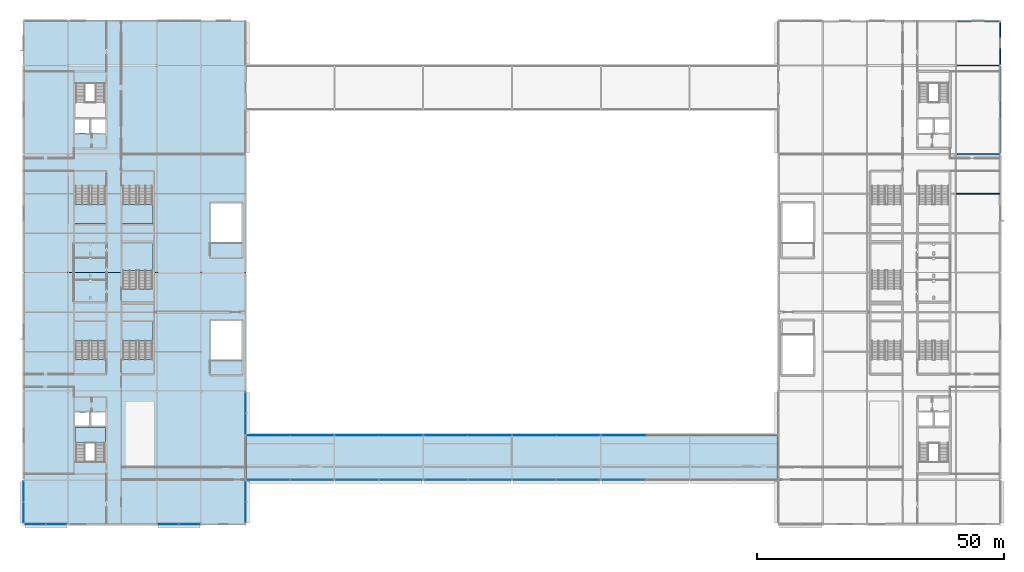
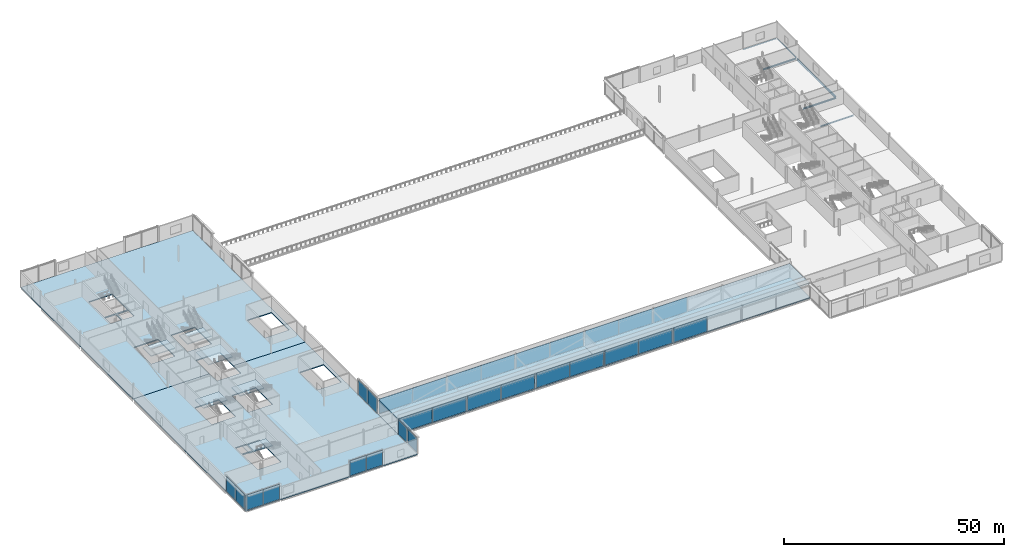
# One storey, part 34 of 73: 28 plates, 11 slabs, 6 beams, 21 elements without a shape of their own.
"""IFC4 building model written with IfcOpenShell, lengths in metres."""

from ifc_helpers import new_model, si_unit, direction, frame, origin, origin_2d, place, context, subcontext, project, spatial, polyline, rectangle, hollow_rectangle, i_section, outline, extrude, material, layer, layer_set, material_profile, profile_set, type_object, element, aggregate, save


model = new_model("IFC4")

# Units and contexts
model_context = context("Model", 3, precision=1e-05, world=origin(), true_north=direction((0.0, 1.0)))
body_context = subcontext(model_context, "Body", "Model", "MODEL_VIEW")
ifc_project = project(units=[si_unit("LENGTHUNIT", "METRE"), si_unit("AREAUNIT", "SQUARE_METRE"), si_unit("VOLUMEUNIT", "CUBIC_METRE"), si_unit("PLANEANGLEUNIT", "RADIAN"), si_unit("MASSUNIT", "GRAM", prefix="KILO")], contexts=[model_context])

# Site, building, storey
site_placement = place(None, origin())
site = spatial("IfcSite", under=ifc_project, at=site_placement, CompositionType="ELEMENT")
building_placement = place(site_placement, origin())
building = spatial("IfcBuilding", under=site, at=building_placement, Name="Kisiwana Market Hall", CompositionType="ELEMENT")
storey_placement = place(building_placement, frame((0.0, 0.0, 33.300048828125)))
storey = spatial("IfcBuildingStorey", under=building, at=storey_placement, Name="L07", CompositionType="ELEMENT", Elevation=33.300048828125)

# Beams
ifc_material_1 = material(Name="Steel S355", Category="steel")
ifc_material_profile_1 = material_profile(ifc_material_1, i_section(OverallWidth=0.300048828125, OverallDepth=0.360107421875, WebThickness=0.012451171875, FlangeThickness=0.0224609375, at=origin_2d()), Name="HEB 360")
ifc_profile_set_1 = profile_set([ifc_material_profile_1], Name="Steel S355")
beam_type_1 = type_object("IfcBeamType", Name="BM-GIRD-HEB360", PredefinedType="BEAM", material=ifc_profile_set_1)
for number, where, z_axis, x_axis, name in (
    (1, (189.183349609375, 84.0, -0.4599609375), (1.0, 0.0, 0.0), (0.0, 1.0, 0.0), "Floor beam B-2000"),
    (2, (189.183349609375, 102.0, -0.4599609375), (1.0, 0.0, 0.0), (0.0, 1.0, 0.0), "Floor beam B-2020"),
):
    element("IfcBeam", number, at=place(storey_placement, frame(where, z_axis=z_axis, x_axis=x_axis)), inside=storey, type_object=beam_type_1, Name=name, PredefinedType="BEAM", context=body_context, shape_type="SweptSolid", body=[
        extrude(i_section(OverallWidth=0.300048828125, OverallDepth=0.360107421875, WebThickness=0.012451171875, FlangeThickness=0.0224609375, at=origin_2d()), origin(), (0.0, 0.0, 1.0), 8.635498046875),
    ])
ifc_material_2 = material(Name="Steel S355", Category="steel")
ifc_material_profile_2 = material_profile(ifc_material_2, i_section(OverallWidth=0.22900390625, OverallDepth=0.6123046875, WebThickness=0.011962890625, FlangeThickness=0.01953125, at=origin_2d()), Name="UB 610x229x125")
ifc_profile_set_2 = profile_set([ifc_material_profile_2], Name="Steel S355")
beam_type_2 = type_object("IfcBeamType", Name="BM-GIRD-UB610H", PredefinedType="BEAM", material=ifc_profile_set_2)
beam_1_placement = place(storey_placement, frame((198.0, 84.177001953125, -0.586181640625), z_axis=(0.0, 1.0, 0.0), x_axis=(-1.0, 0.0, 0.0)))
element("IfcBeam", 3, at=beam_1_placement, inside=storey, type_object=beam_type_2, Name="Floor beam B-2055", PredefinedType="BEAM", context=body_context, shape_type="SweptSolid", body=[
    extrude(i_section(OverallWidth=0.22900390625, OverallDepth=0.6123046875, WebThickness=0.011962890625, FlangeThickness=0.01953125, at=origin_2d()), origin(), (0.0, 0.0, 1.0), 17.64599609375),
])
ifc_material_3 = material(Name="Steel S355", Category="steel")
ifc_material_profile_3 = material_profile(ifc_material_3, i_section(OverallWidth=0.17138671875, OverallDepth=0.35498046875, WebThickness=0.00732421875, FlangeThickness=0.011474609375, at=origin_2d()), Name="UB 356x171x51")
ifc_profile_set_3 = profile_set([ifc_material_profile_3], Name="Steel S355")
beam_type_3 = type_object("IfcBeamType", Name="BM-JOIST-UB356", PredefinedType="JOIST", material=ifc_profile_set_3)
beam_2_placement = place(storey_placement, frame((189.113525390625, 76.0, -0.45751953125), z_axis=(1.0, 0.0, 0.0), x_axis=(0.0, 1.0, 0.0)))
element("IfcBeam", 4, at=beam_2_placement, inside=storey, type_object=beam_type_3, Name="Secondary floor joist B-1954", PredefinedType="JOIST", context=body_context, shape_type="SweptSolid", body=[
    extrude(i_section(OverallWidth=0.17138671875, OverallDepth=0.35498046875, WebThickness=0.00732421875, FlangeThickness=0.011474609375, at=origin_2d()), origin(), (0.0, 0.0, 1.0), 8.77294921875),
])
ifc_material_4 = material(Name="Steel S355", Category="steel")
ifc_material_profile_4 = material_profile(ifc_material_4, hollow_rectangle(XDim=0.14990234375, YDim=0.25, WallThickness=0.010009765625, at=origin_2d()), Name="RHS 250x150x10.0")
ifc_profile_set_4 = profile_set([ifc_material_profile_4], Name="Steel S355")
beam_type_4 = type_object("IfcBeamType", Name="BM-SPAN-RHS250", PredefinedType="SPANDREL", material=ifc_profile_set_4)
beam_3_placement = place(storey_placement, frame((189.183349609375, 111.0, -0.405029296875), z_axis=(1.0, 0.0, 0.0), x_axis=(0.0, 1.0, 0.0)))
element("IfcBeam", 5, at=beam_3_placement, inside=storey, type_object=beam_type_4, Name="Floor beam B-2028", PredefinedType="SPANDREL", context=body_context, shape_type="SweptSolid", body=[
    extrude(hollow_rectangle(XDim=0.14990234375, YDim=0.25, WallThickness=0.010009765625, at=origin_2d()), origin(), (0.0, 0.0, 1.0), 8.635498046875),
])
beam_4_placement = place(storey_placement, frame((198.0, 102.177001953125, -0.405029296875), z_axis=(0.0, 1.0, 0.0), x_axis=(-1.0, 0.0, 0.0)))
element("IfcBeam", 6, at=beam_4_placement, inside=storey, type_object=beam_type_4, Name="Floor beam B-2056", PredefinedType="SPANDREL", context=body_context, shape_type="SweptSolid", body=[
    extrude(hollow_rectangle(XDim=0.14990234375, YDim=0.25, WallThickness=0.010009765625, at=origin_2d()), origin(), (0.0, 0.0, 1.0), 8.64599609375),
])

# Curtain wall, plates
ifc_material_5 = material(Name="Double-glazed solar-control low-E IGU", Category="glass")
ifc_layer_1 = layer(ifc_material_5, 0.159912109375)
ifc_layer_set_1 = layer_set([ifc_layer_1], Name="CW-BRG-L07-8200")
curtain_wall_type = type_object("IfcCurtainWallType", Name="CW-BRG-L07-8200", PredefinedType="USERDEFINED", material=ifc_layer_set_1)
curtain_wall_1_placement = place(storey_placement, origin())
curtain_wall_1 = element("IfcCurtainWall", 7, at=curtain_wall_1_placement, inside=storey, type_object=curtain_wall_type, Name="Unitised curtain wall CW-209 (L07)", ObjectType="UNITISED CURTAIN WALL", PredefinedType="USERDEFINED")
ifc_material_6 = material(Name="Double-glazed solar-control low-E IGU", Category="glass")
ifc_layer_2 = layer(ifc_material_6, 0.02392578125)
ifc_layer_set_2 = layer_set([ifc_layer_2], Name="PL-IGU-24")
plate_type_1 = type_object("IfcPlateType", Name="PL-IGU-24", PredefinedType="CURTAIN_PANEL", material=ifc_layer_set_2)
plate_1_placement = place(storey_placement, frame((2.342529296875, 9.0, 0.06005859375), z_axis=(0.0, 0.0, 1.0), x_axis=(1.0, 0.0, 0.0)))
plate_1 = element("IfcPlate", 8, at=plate_1_placement, type_object=plate_type_1, Name="CW-209 panel 1.1", PredefinedType="CURTAIN_PANEL", context=body_context, shape_type="SweptSolid", body=[
    extrude(rectangle(XDim=4.2451171875, YDim=0.02392578125, at=origin_2d()), origin(), (0.0, 0.0, 1.0), 4.135009765625),
])
plate_2_placement = place(storey_placement, frame((6.657470703125, 9.0, 0.06005859375), z_axis=(0.0, 0.0, 1.0), x_axis=(1.0, 0.0, 0.0)))
plate_2 = element("IfcPlate", 9, at=plate_2_placement, type_object=plate_type_1, Name="CW-209 panel 2.1", PredefinedType="CURTAIN_PANEL", context=body_context, shape_type="SweptSolid", body=[
    extrude(rectangle(XDim=4.2451171875, YDim=0.02392578125, at=origin_2d()), origin(), (0.0, 0.0, 1.0), 4.135009765625),
])
aggregate(curtain_wall_1, [plate_1, plate_2])

curtain_wall_2_placement = place(storey_placement, origin())
curtain_wall_2 = element("IfcCurtainWall", 10, at=curtain_wall_2_placement, inside=storey, type_object=curtain_wall_type, Name="Unitised curtain wall CW-213 (L07)", ObjectType="UNITISED CURTAIN WALL", PredefinedType="USERDEFINED")
plate_3_placement = place(storey_placement, frame((67.580078125, 18.0, 0.06005859375), z_axis=(0.0, 0.0, 1.0), x_axis=(1.0, 0.0, 0.0)))
plate_3 = element("IfcPlate", 11, at=plate_3_placement, type_object=plate_type_1, Name="CW-213 panel 1.1", PredefinedType="CURTAIN_PANEL", context=body_context, shape_type="SweptSolid", body=[
    extrude(rectangle(XDim=8.77001953125, YDim=0.02392578125, at=origin_2d()), origin(), (0.0, 0.0, 1.0), 4.135009765625),
])
plate_4_placement = place(storey_placement, frame((76.419921875, 18.0, 0.06005859375), z_axis=(0.0, 0.0, 1.0), x_axis=(1.0, 0.0, 0.0)))
plate_4 = element("IfcPlate", 12, at=plate_4_placement, type_object=plate_type_1, Name="CW-213 panel 2.1", PredefinedType="CURTAIN_PANEL", context=body_context, shape_type="SweptSolid", body=[
    extrude(rectangle(XDim=8.77001953125, YDim=0.02392578125, at=origin_2d()), origin(), (0.0, 0.0, 1.0), 4.135009765625),
])
aggregate(curtain_wall_2, [plate_3, plate_4])

curtain_wall_3_placement = place(storey_placement, origin())
curtain_wall_3 = element("IfcCurtainWall", 13, at=curtain_wall_3_placement, inside=storey, type_object=curtain_wall_type, Name="Unitised curtain wall CW-215 (L07)", ObjectType="UNITISED CURTAIN WALL", PredefinedType="USERDEFINED")
plate_5_placement = place(storey_placement, frame((103.580078125, 18.0, 0.06005859375), z_axis=(0.0, 0.0, 1.0), x_axis=(1.0, 0.0, 0.0)))
plate_5 = element("IfcPlate", 14, at=plate_5_placement, type_object=plate_type_1, Name="CW-215 panel 1.1", PredefinedType="CURTAIN_PANEL", context=body_context, shape_type="SweptSolid", body=[
    extrude(rectangle(XDim=8.77001953125, YDim=0.02392578125, at=origin_2d()), origin(), (0.0, 0.0, 1.0), 4.135009765625),
])
plate_6_placement = place(storey_placement, frame((112.419921875, 18.0, 0.06005859375), z_axis=(0.0, 0.0, 1.0), x_axis=(1.0, 0.0, 0.0)))
plate_6 = element("IfcPlate", 15, at=plate_6_placement, type_object=plate_type_1, Name="CW-215 panel 2.1", PredefinedType="CURTAIN_PANEL", context=body_context, shape_type="SweptSolid", body=[
    extrude(rectangle(XDim=8.77001953125, YDim=0.02392578125, at=origin_2d()), origin(), (0.0, 0.0, 1.0), 4.135009765625),
])
aggregate(curtain_wall_3, [plate_5, plate_6])

curtain_wall_4_placement = place(storey_placement, origin())
curtain_wall_4 = element("IfcCurtainWall", 16, at=curtain_wall_4_placement, inside=storey, type_object=curtain_wall_type, Name="Unitised curtain wall CW-219 (L07)", ObjectType="UNITISED CURTAIN WALL", PredefinedType="USERDEFINED")
plate_7_placement = place(storey_placement, frame((67.580078125, 27.0, 0.06005859375), z_axis=(0.0, 0.0, 1.0), x_axis=(1.0, 0.0, 0.0)))
plate_7 = element("IfcPlate", 17, at=plate_7_placement, type_object=plate_type_1, Name="CW-219 panel 1.1", PredefinedType="CURTAIN_PANEL", context=body_context, shape_type="SweptSolid", body=[
    extrude(rectangle(XDim=8.77001953125, YDim=0.02392578125, at=origin_2d()), origin(), (0.0, 0.0, 1.0), 4.135009765625),
])
plate_8_placement = place(storey_placement, frame((76.419921875, 27.0, 0.06005859375), z_axis=(0.0, 0.0, 1.0), x_axis=(1.0, 0.0, 0.0)))
plate_8 = element("IfcPlate", 18, at=plate_8_placement, type_object=plate_type_1, Name="CW-219 panel 2.1", PredefinedType="CURTAIN_PANEL", context=body_context, shape_type="SweptSolid", body=[
    extrude(rectangle(XDim=8.77001953125, YDim=0.02392578125, at=origin_2d()), origin(), (0.0, 0.0, 1.0), 4.135009765625),
])
aggregate(curtain_wall_4, [plate_7, plate_8])

curtain_wall_5_placement = place(storey_placement, origin())
curtain_wall_5 = element("IfcCurtainWall", 19, at=curtain_wall_5_placement, inside=storey, type_object=curtain_wall_type, Name="Unitised curtain wall CW-221 (L07)", ObjectType="UNITISED CURTAIN WALL", PredefinedType="USERDEFINED")
plate_9_placement = place(storey_placement, frame((103.580078125, 27.0, 0.06005859375), z_axis=(0.0, 0.0, 1.0), x_axis=(1.0, 0.0, 0.0)))
plate_9 = element("IfcPlate", 20, at=plate_9_placement, type_object=plate_type_1, Name="CW-221 panel 1.1", PredefinedType="CURTAIN_PANEL", context=body_context, shape_type="SweptSolid", body=[
    extrude(rectangle(XDim=8.77001953125, YDim=0.02392578125, at=origin_2d()), origin(), (0.0, 0.0, 1.0), 4.135009765625),
])
plate_10_placement = place(storey_placement, frame((112.419921875, 27.0, 0.06005859375), z_axis=(0.0, 0.0, 1.0), x_axis=(1.0, 0.0, 0.0)))
plate_10 = element("IfcPlate", 21, at=plate_10_placement, type_object=plate_type_1, Name="CW-221 panel 2.1", PredefinedType="CURTAIN_PANEL", context=body_context, shape_type="SweptSolid", body=[
    extrude(rectangle(XDim=8.77001953125, YDim=0.02392578125, at=origin_2d()), origin(), (0.0, 0.0, 1.0), 4.135009765625),
])
aggregate(curtain_wall_5, [plate_9, plate_10])

curtain_wall_6_placement = place(storey_placement, origin())
curtain_wall_6 = element("IfcCurtainWall", 22, at=curtain_wall_6_placement, inside=storey, type_object=curtain_wall_type, Name="Unitised curtain wall CW-227 (L07)", ObjectType="UNITISED CURTAIN WALL", PredefinedType="USERDEFINED")
plate_11_placement = place(storey_placement, frame((0.0, 11.367431640625, 0.06005859375), z_axis=(0.0, 0.0, 1.0), x_axis=(0.0, 1.0, 0.0)))
plate_11 = element("IfcPlate", 23, at=plate_11_placement, type_object=plate_type_1, Name="CW-227 panel 1.1", PredefinedType="CURTAIN_PANEL", context=body_context, shape_type="SweptSolid", body=[
    extrude(rectangle(XDim=4.195068359375, YDim=0.02392578125, at=origin_2d()), origin(), (0.0, 0.0, 1.0), 4.135009765625),
])
plate_12_placement = place(storey_placement, frame((0.0, 15.632568359375, 0.06005859375), z_axis=(0.0, 0.0, 1.0), x_axis=(0.0, 1.0, 0.0)))
plate_12 = element("IfcPlate", 24, at=plate_12_placement, type_object=plate_type_1, Name="CW-227 panel 2.1", PredefinedType="CURTAIN_PANEL", context=body_context, shape_type="SweptSolid", body=[
    extrude(rectangle(XDim=4.195068359375, YDim=0.02392578125, at=origin_2d()), origin(), (0.0, 0.0, 1.0), 4.135009765625),
])
aggregate(curtain_wall_6, [plate_11, plate_12])

curtain_wall_7_placement = place(storey_placement, origin())
curtain_wall_7 = element("IfcCurtainWall", 25, at=curtain_wall_7_placement, inside=storey, type_object=curtain_wall_type, Name="Unitised curtain wall CW-229 (L07)", ObjectType="UNITISED CURTAIN WALL", PredefinedType="USERDEFINED")
plate_13_placement = place(storey_placement, frame((45.0, 29.367431640625, 0.06005859375), z_axis=(0.0, 0.0, 1.0), x_axis=(0.0, 1.0, 0.0)))
plate_13 = element("IfcPlate", 26, at=plate_13_placement, type_object=plate_type_1, Name="CW-229 panel 1.1", PredefinedType="CURTAIN_PANEL", context=body_context, shape_type="SweptSolid", body=[
    extrude(rectangle(XDim=4.195068359375, YDim=0.02392578125, at=origin_2d()), origin(), (0.0, 0.0, 1.0), 4.135009765625),
])
plate_14_placement = place(storey_placement, frame((45.0, 33.632568359375, 0.06005859375), z_axis=(0.0, 0.0, 1.0), x_axis=(0.0, 1.0, 0.0)))
plate_14 = element("IfcPlate", 27, at=plate_14_placement, type_object=plate_type_1, Name="CW-229 panel 2.1", PredefinedType="CURTAIN_PANEL", context=body_context, shape_type="SweptSolid", body=[
    extrude(rectangle(XDim=4.195068359375, YDim=0.02392578125, at=origin_2d()), origin(), (0.0, 0.0, 1.0), 4.135009765625),
])
aggregate(curtain_wall_7, [plate_13, plate_14])

curtain_wall_8_placement = place(storey_placement, origin())
curtain_wall_8 = element("IfcCurtainWall", 28, at=curtain_wall_8_placement, inside=storey, type_object=curtain_wall_type, Name="Unitised curtain wall CW-210 (L07)", ObjectType="UNITISED CURTAIN WALL", PredefinedType="USERDEFINED")
ifc_material_7 = material(Name="Double-glazed acoustic laminated IGU", Category="glass")
ifc_layer_3 = layer(ifc_material_7, 0.028076171875)
ifc_layer_set_3 = layer_set([ifc_layer_3], Name="PL-IGU-28")
plate_type_2 = type_object("IfcPlateType", Name="PL-IGU-28", PredefinedType="CURTAIN_PANEL", material=ifc_layer_set_3)
plate_15_placement = place(storey_placement, frame((29.342529296875, 9.0, 0.06005859375), z_axis=(0.0, 0.0, 1.0), x_axis=(1.0, 0.0, 0.0)))
plate_15 = element("IfcPlate", 29, at=plate_15_placement, type_object=plate_type_2, Name="CW-210 panel 1.1", PredefinedType="CURTAIN_PANEL", context=body_context, shape_type="SweptSolid", body=[
    extrude(rectangle(XDim=4.2451171875, YDim=0.028076171875, at=origin_2d()), origin(), (0.0, 0.0, 1.0), 4.135009765625),
])
plate_16_placement = place(storey_placement, frame((33.657470703125, 9.0, 0.06005859375), z_axis=(0.0, 0.0, 1.0), x_axis=(1.0, 0.0, 0.0)))
plate_16 = element("IfcPlate", 30, at=plate_16_placement, type_object=plate_type_2, Name="CW-210 panel 2.1", PredefinedType="CURTAIN_PANEL", context=body_context, shape_type="SweptSolid", body=[
    extrude(rectangle(XDim=4.2451171875, YDim=0.028076171875, at=origin_2d()), origin(), (0.0, 0.0, 1.0), 4.135009765625),
])
aggregate(curtain_wall_8, [plate_15, plate_16])

curtain_wall_9_placement = place(storey_placement, origin())
curtain_wall_9 = element("IfcCurtainWall", 31, at=curtain_wall_9_placement, inside=storey, type_object=curtain_wall_type, Name="Unitised curtain wall CW-212 (L07)", ObjectType="UNITISED CURTAIN WALL", PredefinedType="USERDEFINED")
plate_17_placement = place(storey_placement, frame((49.5986328125, 18.0, 0.06005859375), z_axis=(0.0, 0.0, 1.0), x_axis=(1.0, 0.0, 0.0)))
plate_17 = element("IfcPlate", 32, at=plate_17_placement, type_object=plate_type_2, Name="CW-212 panel 1.1", PredefinedType="CURTAIN_PANEL", context=body_context, shape_type="SweptSolid", body=[
    extrude(rectangle(XDim=8.757568359375, YDim=0.028076171875, at=origin_2d()), origin(), (0.0, 0.0, 1.0), 4.135009765625),
])
plate_18_placement = place(storey_placement, frame((58.42626953125, 18.0, 0.06005859375), z_axis=(0.0, 0.0, 1.0), x_axis=(1.0, 0.0, 0.0)))
plate_18 = element("IfcPlate", 33, at=plate_18_placement, type_object=plate_type_2, Name="CW-212 panel 2.1", PredefinedType="CURTAIN_PANEL", context=body_context, shape_type="SweptSolid", body=[
    extrude(rectangle(XDim=8.757568359375, YDim=0.028076171875, at=origin_2d()), origin(), (0.0, 0.0, 1.0), 4.135009765625),
])
aggregate(curtain_wall_9, [plate_17, plate_18])

curtain_wall_10_placement = place(storey_placement, origin())
curtain_wall_10 = element("IfcCurtainWall", 34, at=curtain_wall_10_placement, inside=storey, type_object=curtain_wall_type, Name="Unitised curtain wall CW-214 (L07)", ObjectType="UNITISED CURTAIN WALL", PredefinedType="USERDEFINED")
plate_19_placement = place(storey_placement, frame((85.580078125, 18.0, 0.06005859375), z_axis=(0.0, 0.0, 1.0), x_axis=(1.0, 0.0, 0.0)))
plate_19 = element("IfcPlate", 35, at=plate_19_placement, type_object=plate_type_2, Name="CW-214 panel 1.1", PredefinedType="CURTAIN_PANEL", context=body_context, shape_type="SweptSolid", body=[
    extrude(rectangle(XDim=8.77001953125, YDim=0.028076171875, at=origin_2d()), origin(), (0.0, 0.0, 1.0), 4.135009765625),
])
plate_20_placement = place(storey_placement, frame((94.419921875, 18.0, 0.06005859375), z_axis=(0.0, 0.0, 1.0), x_axis=(1.0, 0.0, 0.0)))
plate_20 = element("IfcPlate", 36, at=plate_20_placement, type_object=plate_type_2, Name="CW-214 panel 2.1", PredefinedType="CURTAIN_PANEL", context=body_context, shape_type="SweptSolid", body=[
    extrude(rectangle(XDim=8.77001953125, YDim=0.028076171875, at=origin_2d()), origin(), (0.0, 0.0, 1.0), 4.135009765625),
])
aggregate(curtain_wall_10, [plate_19, plate_20])

# Curtain wall, plate
curtain_wall_11_placement = place(storey_placement, origin())
curtain_wall_11 = element("IfcCurtainWall", 37, at=curtain_wall_11_placement, inside=storey, type_object=curtain_wall_type, Name="Unitised curtain wall CW-216 (L07)", ObjectType="UNITISED CURTAIN WALL", PredefinedType="USERDEFINED")
plate_21_placement = place(storey_placement, frame((121.580078125, 18.0, 0.06005859375), z_axis=(0.0, 0.0, 1.0), x_axis=(1.0, 0.0, 0.0)))
plate_21 = element("IfcPlate", 38, at=plate_21_placement, type_object=plate_type_2, Name="CW-216 panel 1.1", PredefinedType="CURTAIN_PANEL", context=body_context, shape_type="SweptSolid", body=[
    extrude(rectangle(XDim=8.77001953125, YDim=0.028076171875, at=origin_2d()), origin(), (0.0, 0.0, 1.0), 4.135009765625),
])
aggregate(curtain_wall_11, [plate_21])

# Curtain wall, plates
curtain_wall_12_placement = place(storey_placement, origin())
curtain_wall_12 = element("IfcCurtainWall", 39, at=curtain_wall_12_placement, inside=storey, type_object=curtain_wall_type, Name="Unitised curtain wall CW-218 (L07)", ObjectType="UNITISED CURTAIN WALL", PredefinedType="USERDEFINED")
plate_22_placement = place(storey_placement, frame((49.5986328125, 27.0, 0.06005859375), z_axis=(0.0, 0.0, 1.0), x_axis=(1.0, 0.0, 0.0)))
plate_22 = element("IfcPlate", 40, at=plate_22_placement, type_object=plate_type_2, Name="CW-218 panel 1.1", PredefinedType="CURTAIN_PANEL", context=body_context, shape_type="SweptSolid", body=[
    extrude(rectangle(XDim=8.757568359375, YDim=0.028076171875, at=origin_2d()), origin(), (0.0, 0.0, 1.0), 4.135009765625),
])
plate_23_placement = place(storey_placement, frame((58.42626953125, 27.0, 0.06005859375), z_axis=(0.0, 0.0, 1.0), x_axis=(1.0, 0.0, 0.0)))
plate_23 = element("IfcPlate", 41, at=plate_23_placement, type_object=plate_type_2, Name="CW-218 panel 2.1", PredefinedType="CURTAIN_PANEL", context=body_context, shape_type="SweptSolid", body=[
    extrude(rectangle(XDim=8.757568359375, YDim=0.028076171875, at=origin_2d()), origin(), (0.0, 0.0, 1.0), 4.135009765625),
])
aggregate(curtain_wall_12, [plate_22, plate_23])

curtain_wall_13_placement = place(storey_placement, origin())
curtain_wall_13 = element("IfcCurtainWall", 42, at=curtain_wall_13_placement, inside=storey, type_object=curtain_wall_type, Name="Unitised curtain wall CW-220 (L07)", ObjectType="UNITISED CURTAIN WALL", PredefinedType="USERDEFINED")
plate_24_placement = place(storey_placement, frame((85.580078125, 27.0, 0.06005859375), z_axis=(0.0, 0.0, 1.0), x_axis=(1.0, 0.0, 0.0)))
plate_24 = element("IfcPlate", 43, at=plate_24_placement, type_object=plate_type_2, Name="CW-220 panel 1.1", PredefinedType="CURTAIN_PANEL", context=body_context, shape_type="SweptSolid", body=[
    extrude(rectangle(XDim=8.77001953125, YDim=0.028076171875, at=origin_2d()), origin(), (0.0, 0.0, 1.0), 4.135009765625),
])
plate_25_placement = place(storey_placement, frame((94.419921875, 27.0, 0.06005859375), z_axis=(0.0, 0.0, 1.0), x_axis=(1.0, 0.0, 0.0)))
plate_25 = element("IfcPlate", 44, at=plate_25_placement, type_object=plate_type_2, Name="CW-220 panel 2.1", PredefinedType="CURTAIN_PANEL", context=body_context, shape_type="SweptSolid", body=[
    extrude(rectangle(XDim=8.77001953125, YDim=0.028076171875, at=origin_2d()), origin(), (0.0, 0.0, 1.0), 4.135009765625),
])
aggregate(curtain_wall_13, [plate_24, plate_25])

# Curtain wall, plate
curtain_wall_14_placement = place(storey_placement, origin())
curtain_wall_14 = element("IfcCurtainWall", 45, at=curtain_wall_14_placement, inside=storey, type_object=curtain_wall_type, Name="Unitised curtain wall CW-222 (L07)", ObjectType="UNITISED CURTAIN WALL", PredefinedType="USERDEFINED")
plate_26_placement = place(storey_placement, frame((121.580078125, 27.0, 0.06005859375), z_axis=(0.0, 0.0, 1.0), x_axis=(1.0, 0.0, 0.0)))
plate_26 = element("IfcPlate", 46, at=plate_26_placement, type_object=plate_type_2, Name="CW-222 panel 1.1", PredefinedType="CURTAIN_PANEL", context=body_context, shape_type="SweptSolid", body=[
    extrude(rectangle(XDim=8.77001953125, YDim=0.028076171875, at=origin_2d()), origin(), (0.0, 0.0, 1.0), 4.135009765625),
])
aggregate(curtain_wall_14, [plate_26])

# Curtain wall, plates
curtain_wall_15_placement = place(storey_placement, origin())
curtain_wall_15 = element("IfcCurtainWall", 47, at=curtain_wall_15_placement, inside=storey, type_object=curtain_wall_type, Name="Unitised curtain wall CW-228 (L07)", ObjectType="UNITISED CURTAIN WALL", PredefinedType="USERDEFINED")
plate_27_placement = place(storey_placement, frame((45.0, 11.367431640625, 0.06005859375), z_axis=(0.0, 0.0, 1.0), x_axis=(0.0, 1.0, 0.0)))
plate_27 = element("IfcPlate", 48, at=plate_27_placement, type_object=plate_type_2, Name="CW-228 panel 1.1", PredefinedType="CURTAIN_PANEL", context=body_context, shape_type="SweptSolid", body=[
    extrude(rectangle(XDim=4.195068359375, YDim=0.028076171875, at=origin_2d()), origin(), (0.0, 0.0, 1.0), 4.135009765625),
])
plate_28_placement = place(storey_placement, frame((45.0, 15.632568359375, 0.06005859375), z_axis=(0.0, 0.0, 1.0), x_axis=(0.0, 1.0, 0.0)))
plate_28 = element("IfcPlate", 49, at=plate_28_placement, type_object=plate_type_2, Name="CW-228 panel 2.1", PredefinedType="CURTAIN_PANEL", context=body_context, shape_type="SweptSolid", body=[
    extrude(rectangle(XDim=4.195068359375, YDim=0.028076171875, at=origin_2d()), origin(), (0.0, 0.0, 1.0), 4.135009765625),
])
aggregate(curtain_wall_15, [plate_27, plate_28])

# Stair, slab
ifc_material_8 = material(Name="Concrete C32/40", Category="concrete")
stair_type_1 = type_object("IfcStairType", Name="ST-TWR-4500", PredefinedType="TWO_STRAIGHT_RUN_STAIR", material=ifc_material_8)
stair_1_placement = place(storey_placement, origin())
stair_1 = element("IfcStair", 50, at=stair_1_placement, inside=storey, type_object=stair_type_1, Name="Escape stair ST-W2-L07", PredefinedType="TWO_STRAIGHT_RUN_STAIR")
ifc_material_9 = material(Name="Concrete C32/40", Category="concrete")
ifc_layer_4 = layer(ifc_material_9, 0.239990234375)
ifc_layer_set_4 = layer_set([ifc_layer_4], Name="SL-LANDING-160")
slab_type_1 = type_object("IfcSlabType", Name="SL-LANDING-160", PredefinedType="LANDING", material=ifc_layer_set_4)
slab_1_placement = place(storey_placement, frame((0.0, 0.0, 2.010009765625)))
slab_1 = element("IfcSlab", 51, at=slab_1_placement, type_object=slab_type_1, Name="ST-W2-L07 landing 1 S-317", PredefinedType="LANDING", context=body_context, shape_type="SweptSolid", body=[
    extrude(outline(polyline([(10.405029296875, 25.509033203125), (16.594970703125, 25.509033203125), (16.594970703125, 28.64501953125), (10.405029296875, 28.64501953125), (10.405029296875, 25.509033203125)])), origin(), (0.0, 0.0, 1.0), 0.239990234375),
])
aggregate(stair_1, [slab_1])

ifc_material_10 = material(Name="Concrete C32/40", Category="concrete")
stair_type_2 = type_object("IfcStairType", Name="ST-ESC-4500", PredefinedType="TWO_STRAIGHT_RUN_STAIR", material=ifc_material_10)
stair_2_placement = place(storey_placement, origin())
stair_2 = element("IfcStair", 52, at=stair_2_placement, inside=storey, type_object=stair_type_2, Name="Escape stair ST-W3-L07", PredefinedType="TWO_STRAIGHT_RUN_STAIR")
slab_2_placement = place(storey_placement, frame((0.0, 0.0, 2.010009765625)))
slab_2 = element("IfcSlab", 53, at=slab_2_placement, type_object=slab_type_1, Name="ST-W3-L07 landing 1 S-318", PredefinedType="LANDING", context=body_context, shape_type="SweptSolid", body=[
    extrude(outline(polyline([(10.340087890625, 46.194580078125), (16.659912109375, 46.194580078125), (16.659912109375, 50.06005859375), (10.340087890625, 50.06005859375), (10.340087890625, 46.194580078125)])), origin(), (0.0, 0.0, 1.0), 0.239990234375),
])
aggregate(stair_2, [slab_2])

stair_3_placement = place(storey_placement, origin())
stair_3 = element("IfcStair", 54, at=stair_3_placement, inside=storey, type_object=stair_type_2, Name="Escape stair ST-W4-L07", PredefinedType="TWO_STRAIGHT_RUN_STAIR")
slab_3_placement = place(storey_placement, frame((0.0, 0.0, 2.010009765625)))
slab_3 = element("IfcSlab", 55, at=slab_3_placement, type_object=slab_type_1, Name="ST-W4-L07 landing 1 S-319", PredefinedType="LANDING", context=body_context, shape_type="SweptSolid", body=[
    extrude(outline(polyline([(10.340087890625, 69.93994140625), (16.659912109375, 69.93994140625), (16.659912109375, 73.805419921875), (10.340087890625, 73.805419921875), (10.340087890625, 69.93994140625)])), origin(), (0.0, 0.0, 1.0), 0.239990234375),
])
aggregate(stair_3, [slab_3])

stair_4_placement = place(storey_placement, origin())
stair_4 = element("IfcStair", 56, at=stair_4_placement, inside=storey, type_object=stair_type_2, Name="Escape stair ST-W7-L07", PredefinedType="TWO_STRAIGHT_RUN_STAIR")
slab_4_placement = place(storey_placement, frame((0.0, 0.0, 2.010009765625)))
slab_4 = element("IfcSlab", 57, at=slab_4_placement, type_object=slab_type_1, Name="ST-W7-L07 landing 1 S-321", PredefinedType="LANDING", context=body_context, shape_type="SweptSolid", body=[
    extrude(outline(polyline([(19.93994140625, 46.194580078125), (26.260009765625, 46.194580078125), (26.260009765625, 50.06005859375), (19.93994140625, 50.06005859375), (19.93994140625, 46.194580078125)])), origin(), (0.0, 0.0, 1.0), 0.239990234375),
])
aggregate(stair_4, [slab_4])

stair_5_placement = place(storey_placement, origin())
stair_5 = element("IfcStair", 58, at=stair_5_placement, inside=storey, type_object=stair_type_2, Name="Escape stair ST-W8-L07", PredefinedType="TWO_STRAIGHT_RUN_STAIR")
slab_5_placement = place(storey_placement, frame((0.0, 0.0, 2.010009765625)))
slab_5 = element("IfcSlab", 59, at=slab_5_placement, type_object=slab_type_1, Name="ST-W8-L07 landing 1 S-322", PredefinedType="LANDING", context=body_context, shape_type="SweptSolid", body=[
    extrude(outline(polyline([(19.93994140625, 69.93994140625), (26.260009765625, 69.93994140625), (26.260009765625, 73.805419921875), (19.93994140625, 73.805419921875), (19.93994140625, 69.93994140625)])), origin(), (0.0, 0.0, 1.0), 0.239990234375),
])
aggregate(stair_5, [slab_5])

stair_6_placement = place(storey_placement, origin())
stair_6 = element("IfcStair", 60, at=stair_6_placement, inside=storey, type_object=stair_type_2, Name="Escape stair ST-W5-L07", PredefinedType="TWO_STRAIGHT_RUN_STAIR")
slab_6_placement = place(storey_placement, frame((0.0, 0.0, 2.010009765625)))
slab_6 = element("IfcSlab", 61, at=slab_6_placement, type_object=slab_type_1, Name="ST-W5-L07 landing 1 S-320", PredefinedType="LANDING", context=body_context, shape_type="SweptSolid", body=[
    extrude(outline(polyline([(19.93994140625, 60.474609375), (26.260009765625, 60.474609375), (26.260009765625, 66.179931640625), (19.93994140625, 66.179931640625), (19.93994140625, 60.474609375)])), origin(), (0.0, 0.0, 1.0), 0.239990234375),
])
aggregate(stair_6, [slab_6])

# Slabs
ifc_material_11 = material(Name="Concrete C32/40", Category="concrete")
ifc_layer_5 = layer(ifc_material_11, 0.280029296875)
ifc_layer_set_5 = layer_set([ifc_layer_5], Name="SL-PLANT-280")
slab_type_2 = type_object("IfcSlabType", Name="SL-PLANT-280", PredefinedType="FLOOR", material=ifc_layer_set_5)
slab_7_placement = place(storey_placement, frame((0.0, 0.0, -0.280029296875)))
element("IfcSlab", 62, at=slab_7_placement, inside=storey, type_object=slab_type_2, Name="Structural slab S-303", PredefinedType="FLOOR", context=body_context, shape_type="SweptSolid", body=[
    extrude(outline(polyline([(0.0, 9.0), (45.0, 9.0), (45.0, 60.0), (26.239990234375, 60.0), (26.239990234375, 56.659912109375), (19.9599609375, 56.659912109375), (19.9599609375, 60.0), (0.0, 60.0), (0.0, 9.0)]), holes=[polyline([(10.425048828125, 21.675048828125), (16.574951171875, 21.675048828125), (16.574951171875, 28.625), (10.425048828125, 28.625), (10.425048828125, 21.675048828125)]), polyline([(10.425048828125, 28.945068359375), (13.340087890625, 28.945068359375), (13.340087890625, 31.675048828125), (10.425048828125, 31.675048828125), (10.425048828125, 28.945068359375)]), polyline([(13.659912109375, 28.945068359375), (16.574951171875, 28.945068359375), (16.574951171875, 31.675048828125), (13.659912109375, 31.675048828125), (13.659912109375, 28.945068359375)]), polyline([(10.360107421875, 42.3798828125), (16.639892578125, 42.3798828125), (16.639892578125, 50.0400390625), (10.360107421875, 50.0400390625), (10.360107421875, 42.3798828125)]), polyline([(19.9599609375, 42.3798828125), (26.239990234375, 42.3798828125), (26.239990234375, 50.0400390625), (19.9599609375, 50.0400390625), (19.9599609375, 42.3798828125)]), polyline([(37.929931640625, 42.179931640625), (44.2099609375, 42.179931640625), (44.2099609375, 50.239990234375), (37.929931640625, 50.239990234375), (37.929931640625, 42.179931640625)])]), origin(), (0.0, 0.0, 1.0), 0.280029296875),
])
slab_8_placement = place(storey_placement, frame((0.0, 0.0, -0.280029296875)))
element("IfcSlab", 63, at=slab_8_placement, inside=storey, type_object=slab_type_2, Name="Structural slab S-304", PredefinedType="FLOOR", context=body_context, shape_type="SweptSolid", body=[
    extrude(outline(polyline([(0.0, 60.0), (19.9599609375, 60.0), (19.9599609375, 66.159912109375), (26.239990234375, 66.159912109375), (26.239990234375, 60.0), (45.0, 60.0), (45.0, 111.0), (0.0, 111.0), (0.0, 60.0)]), holes=[polyline([(10.425048828125, 91.375), (16.574951171875, 91.375), (16.574951171875, 98.324951171875), (10.425048828125, 98.324951171875), (10.425048828125, 91.375)]), polyline([(10.425048828125, 88.324951171875), (13.340087890625, 88.324951171875), (13.340087890625, 91.054931640625), (10.425048828125, 91.054931640625), (10.425048828125, 88.324951171875)]), polyline([(13.659912109375, 88.324951171875), (16.574951171875, 88.324951171875), (16.574951171875, 91.054931640625), (13.659912109375, 91.054931640625), (13.659912109375, 88.324951171875)]), polyline([(10.360107421875, 69.9599609375), (16.639892578125, 69.9599609375), (16.639892578125, 77.6201171875), (10.360107421875, 77.6201171875), (10.360107421875, 69.9599609375)]), polyline([(19.9599609375, 69.9599609375), (26.239990234375, 69.9599609375), (26.239990234375, 77.6201171875), (19.9599609375, 77.6201171875), (19.9599609375, 69.9599609375)]), polyline([(37.929931640625, 65.97998046875), (44.2099609375, 65.97998046875), (44.2099609375, 74.0400390625), (37.929931640625, 74.0400390625), (37.929931640625, 65.97998046875)])]), origin(), (0.0, 0.0, 1.0), 0.280029296875),
])
ifc_material_12 = material(Name="Concrete C32/40", Category="concrete")
ifc_layer_6 = layer(ifc_material_12, 0.2919921875)
ifc_layer_set_6 = layer_set([ifc_layer_6], Name="SL-POD-ROOF-210")
slab_type_3 = type_object("IfcSlabType", Name="SL-POD-ROOF-210", PredefinedType="ROOF", material=ifc_layer_set_6)
slab_9_placement = place(storey_placement, frame((0.0, 0.0, 3.758056640625)))
element("IfcSlab", 64, at=slab_9_placement, inside=storey, type_object=slab_type_3, Name="Structural roof slab S-302", PredefinedType="ROOF", context=body_context, shape_type="SweptSolid", body=[
    extrude(outline(polyline([(45.159912109375, 18.0), (152.840087890625, 18.0), (152.840087890625, 27.0), (45.159912109375, 27.0), (45.159912109375, 18.0)])), origin(), (0.0, 0.0, 1.0), 0.2919921875),
])
ifc_material_13 = material(Name="Concrete C32/40", Category="concrete")
ifc_layer_7 = layer(ifc_material_13, 0.264892578125)
ifc_layer_set_7 = layer_set([ifc_layer_7], Name="SL-SKYBR-190")
slab_type_4 = type_object("IfcSlabType", Name="SL-SKYBR-190", PredefinedType="FLOOR", material=ifc_layer_set_7)
slab_10_placement = place(storey_placement, frame((0.0, 0.0, -0.26513671875)))
element("IfcSlab", 65, at=slab_10_placement, inside=storey, type_object=slab_type_4, Name="Structural slab S-307", PredefinedType="FLOOR", context=body_context, shape_type="SweptSolid", body=[
    extrude(outline(polyline([(45.0, 18.0), (99.0, 18.0), (99.0, 27.0), (45.0, 27.0), (45.0, 18.0)])), origin(), (0.0, 0.0, 1.0), 0.26513671875),
])
slab_11_placement = place(storey_placement, frame((0.0, 0.0, -0.26513671875)))
element("IfcSlab", 66, at=slab_11_placement, inside=storey, type_object=slab_type_4, Name="Structural slab S-308", PredefinedType="FLOOR", context=body_context, shape_type="SweptSolid", body=[
    extrude(outline(polyline([(99.0, 18.0), (153.0, 18.0), (153.0, 27.0), (99.0, 27.0), (99.0, 18.0)])), origin(), (0.0, 0.0, 1.0), 0.26513671875),
])

save(model, "model.ifc")
